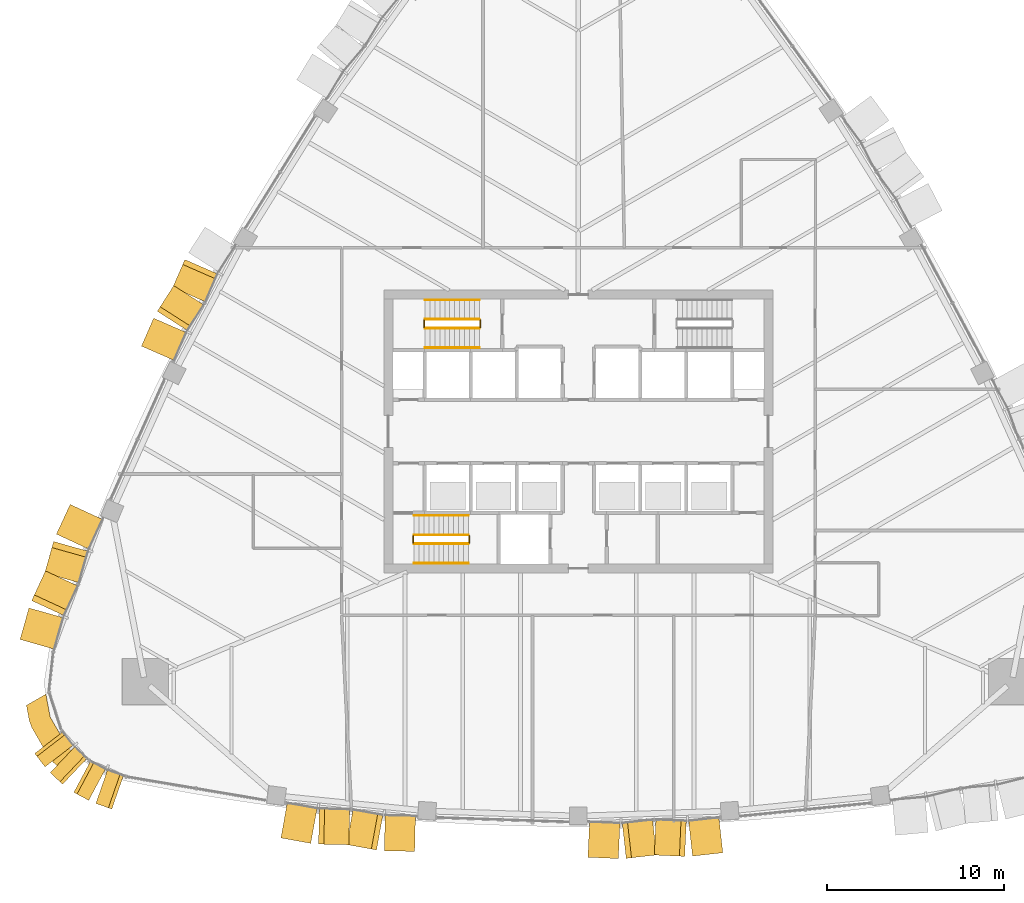
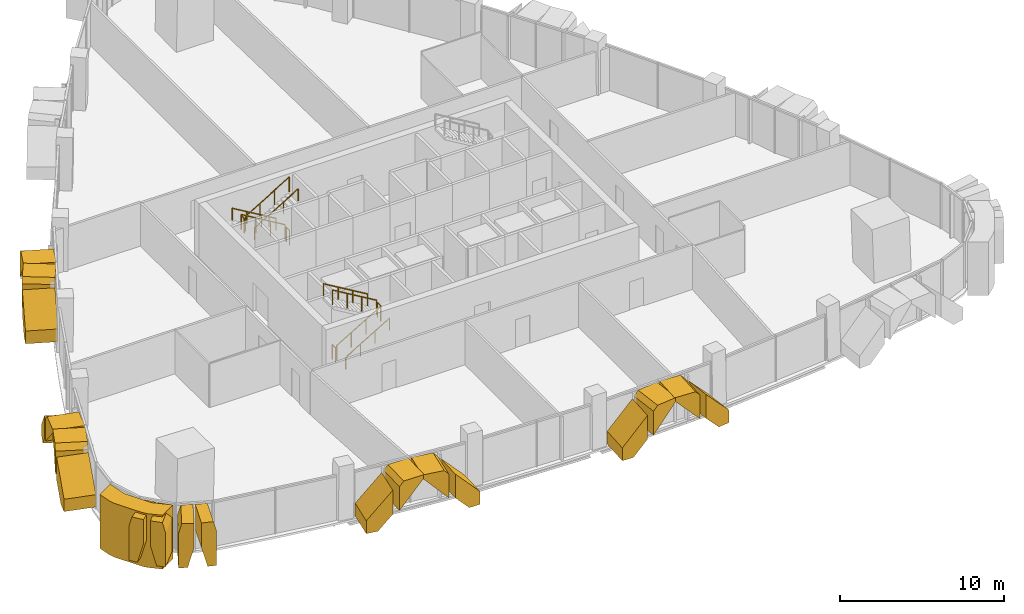
# One storey, part 14 of 17: 20 coverings, 12 railings.
"""IFC4 building model written with IfcOpenShell, lengths in metres."""

from ifc_helpers import new_model, si_unit, direction, frame, origin, origin_2d, place, context, subcontext, project, spatial, polyline, circle, outline, extrude, material, layer, layer_set, type_object, element, save


model = new_model("IFC4")

# Units and contexts
model_context = context("Model", 3, precision=1e-05, world=origin(), true_north=direction((0.0, 1.0)))
body_context = subcontext(model_context, "Body", "Model", "MODEL_VIEW")
ifc_project = project(units=[si_unit("LENGTHUNIT", "METRE"), si_unit("AREAUNIT", "SQUARE_METRE"), si_unit("VOLUMEUNIT", "CUBIC_METRE"), si_unit("PLANEANGLEUNIT", "RADIAN"), si_unit("MASSUNIT", "GRAM", prefix="KILO")], contexts=[model_context])

# Site, building, storey
site_placement = place(None, origin())
site = spatial("IfcSite", under=ifc_project, at=site_placement, CompositionType="ELEMENT")
building_placement = place(site_placement, origin())
building = spatial("IfcBuilding", under=site, at=building_placement, Name="Sierra Prisma Convention Tower", CompositionType="ELEMENT")
storey_placement = place(building_placement, frame((0.0, 0.0, 145.800048828125)))
storey = spatial("IfcBuildingStorey", under=building, at=storey_placement, Name="L31", CompositionType="ELEMENT", Elevation=145.800048828125)

# Coverings
ifc_material_1 = material(Name="Aluminium composite bronze anodised", Category="aluminium")
ifc_layer_1 = layer(ifc_material_1, 1.199951171875)
ifc_layer_set_1 = layer_set([ifc_layer_1], Name="Bronze corner pier")
covering_type_1 = type_object("IfcCoveringType", Name="Bronze corner pier", PredefinedType="CLADDING", material=ifc_layer_set_1)
covering_1_placement = place(storey_placement, frame((0.0, 0.0, -0.60009765625)))
element("IfcCovering", 1, at=covering_1_placement, inside=storey, type_object=covering_type_1, Name="Corner pier SW L31.1", PredefinedType="CLADDING", context=body_context, shape_type="SweptSolid", body=[
    extrude(outline(polyline([(-29.71142578125, -18.724609375), (-29.969482421875, -18.413818359375), (-30.931640625, -16.74755859375), (-31.07177734375, -16.368408203125), (-31.23583984375, -15.49365234375), (-30.134033203125, -14.857666015625), (-29.892333984375, -16.1474609375), (-28.930419921875, -17.813720703125), (-27.93408203125, -18.668212890625), (-29.035888671875, -19.30419921875), (-29.71142578125, -18.724609375)])), origin(), (0.0, 0.0, 1.0), 4.0),
])
ifc_material_2 = material(Name="Aluminium 6063-T6 bronze anodised", Category="aluminium")
ifc_layer_2 = layer(ifc_material_2, 2.0)
ifc_layer_set_2 = layer_set([ifc_layer_2], Name="Bronze crystal chevron frame")
covering_type_2 = type_object("IfcCoveringType", Name="Bronze crystal chevron frame", PredefinedType="CLADDING", material=ifc_layer_set_2)
covering_2_placement = place(storey_placement, frame((-16.834228515625, -22.994873046875, 0.0), z_axis=(-0.17819871487, -0.983994520566, -3.8929777e-05), x_axis=(0.983994521311, -0.178198715005, -5.461e-09)))
element("IfcCovering", 2, at=covering_2_placement, inside=storey, type_object=covering_type_2, Name="CW-2 chevron frame S2.1.1", PredefinedType="CLADDING", context=body_context, shape_type="SweptSolid", body=[
    extrude(outline(polyline([(0.0, 0.0), (0.7554811546290352, 8.470329472543003e-22), (1.7164445959437449, 1.0437011820398558), (1.7164445862691808, 2.8151855556974894), (-5.19327818288761e-09, 0.9509277336544215), (0.0, 0.0)])), origin(), (0.0, 0.0, -1.0), 2.0),
])
covering_3_placement = place(storey_placement, frame((-14.7041015625, -23.345458984375, 2.956298828125), z_axis=(-0.022041406496, -0.999757058654, -8.489006e-06), x_axis=(1.8711e-07, 8.486944e-06, -0.999999999964)))
element("IfcCovering", 3, at=covering_3_placement, inside=storey, type_object=covering_type_2, Name="CW-2 chevron frame S2.1.2", PredefinedType="CLADDING", context=body_context, shape_type="SweptSolid", body=[
    extrude(outline(polyline([(0.0, 0.0), (1.7714843749361706, -4.6890800974099756e-23), (-0.09277343751998629, 1.7167257179186428), (-0.3237304687616645, 1.7167257179186428), (-0.3237304689059669, 0.2981685758387188), (0.0, 0.0)])), origin(), (0.0, 0.0, -1.0), 2.0),
])
covering_4_placement = place(storey_placement, frame((-13.111328125, -23.370849609375, 3.280029296875), z_axis=(-0.178353844349, -0.983966414672, 3.1665757e-05), x_axis=(-5.64771e-06, -3.1158042e-05, -0.999999999499)))
element("IfcCovering", 4, at=covering_4_placement, inside=storey, type_object=covering_type_2, Name="CW-2 chevron frame S2.2.1", PredefinedType="CLADDING", context=body_context, shape_type="SweptSolid", body=[
    extrude(outline(polyline([(0.0, 0.0), (0.23095703113420737, -1.9562821486879105e-22), (2.095214843024154, 1.7164881301372268), (0.32373046891230556, 1.7164881301372268), (-2.0078884207085242e-09, 1.4184840279151614), (0.0, 0.0)])), origin(), (0.0, 0.0, -1.0), 2.0),
])
covering_5_placement = place(storey_placement, frame((-9.264892578125, -23.759521484375, 0.0), z_axis=(-0.022200072517, -0.999753547719, -2.4551193e-05), x_axis=(-5.45038e-07, -2.4545142e-05, 0.999999999699)))
element("IfcCovering", 5, at=covering_5_placement, inside=storey, type_object=covering_type_2, Name="CW-2 chevron frame S2.2.2", PredefinedType="CLADDING", context=body_context, shape_type="SweptSolid", body=[
    extrude(outline(polyline([(0.0, 0.0), (0.9509277340884089, 0.0), (2.815185546655661, 1.7167311166745831), (1.0437011721895515, 1.7167311166745831), (-1.640964052137111e-09, 0.7558029873359733), (0.0, 0.0)])), origin(), (0.0, 0.0, -1.0), 2.0),
])
covering_6_placement = place(storey_placement, frame((0.539794921875, -24.088623046875, 0.0), z_axis=(-0.045034530849, -0.99898543037, 3.0652974e-05), x_axis=(0.998985430839, -0.04503453087, -3.37e-09)))
element("IfcCovering", 6, at=covering_6_placement, inside=storey, type_object=covering_type_2, Name="CW-2 chevron frame S4.1.1", PredefinedType="CLADDING", context=body_context, shape_type="SweptSolid", body=[
    extrude(outline(polyline([(0.0, 0.0), (0.7571195554350986, 2.117582368135751e-22), (1.7246487187039257, 1.0458984438041266), (1.7246487127472983, 2.813232427348829), (-3.196780945112798e-09, 0.9484863276793989), (0.0, 0.0)])), origin(), (0.0, 0.0, -1.0), 2.0),
])
covering_7_placement = place(storey_placement, frame((2.705810546875, -24.1513671875, 2.953857421875), z_axis=(0.11183135415, -0.993727200067, -8.696166e-06), x_axis=(-9.72504e-07, 8.641617e-06, -0.999999999962)))
element("IfcCovering", 7, at=covering_7_placement, inside=storey, type_object=covering_type_2, Name="CW-2 chevron frame S4.1.2", PredefinedType="CLADDING", context=body_context, shape_type="SweptSolid", body=[
    extrude(outline(polyline([(0.0, 0.0), (1.7673339843081741, 3.7424752839196046e-22), (-0.09741210939598288, 1.7246854771770521), (-0.32617187501233313, 1.7246854771770521), (-0.32617187516328433, 0.30144921909224004), (0.0, 0.0)])), origin(), (0.0, 0.0, -1.0), 2.0),
])
covering_8_placement = place(storey_placement, frame((4.29541015625, -23.962646484375, 3.280029296875), z_axis=(-0.044882544075, -0.998992269994, -4.1589781e-05), x_axis=(1.866655e-06, 4.154787e-05, -0.999999999135)))
element("IfcCovering", 8, at=covering_8_placement, inside=storey, type_object=covering_type_2, Name="CW-2 chevron frame S4.2.1", PredefinedType="CLADDING", context=body_context, shape_type="SweptSolid", body=[
    extrude(outline(polyline([(0.0, 0.0), (0.228759765427156, -4.8441764622636683e-23), (2.093505858128604, 1.72463774949425), (0.32617187528209135, 1.72463774949425), (-3.452663048515049e-09, 1.4233130400474532), (0.0, 0.0)])), origin(), (0.0, 0.0, -1.0), 2.0),
])
covering_9_placement = place(storey_placement, frame((8.17529296875, -23.832275390625, 0.0), z_axis=(0.111850787266, -0.993725012923, 8.850515e-06), x_axis=(-9.89937e-07, 8.794978e-06, 0.999999999961)))
element("IfcCovering", 9, at=covering_9_placement, inside=storey, type_object=covering_type_2, Name="CW-2 chevron frame S4.2.2", PredefinedType="CLADDING", context=body_context, shape_type="SweptSolid", body=[
    extrude(outline(polyline([(0.0, 0.0), (0.9484863280878518, 0.0), (2.8132324218467444, 1.724442868146055), (1.0458984375409635, 1.724442868146055), (-2.1273460666727567e-10, 0.7571954866046736), (0.0, 0.0)])), origin(), (0.0, 0.0, -1.0), 2.0),
])
covering_10_placement = place(storey_placement, frame((-22.2685546875, 9.732421875, 2.953857421875), z_axis=(-0.916510633878, 0.40001032231, 5.827557e-06), x_axis=(-5.341018e-06, 2.331083e-06, -0.999999999983)))
element("IfcCovering", 10, at=covering_10_placement, inside=storey, type_object=covering_type_2, Name="CW-2 chevron frame NW4.1.2", PredefinedType="CLADDING", context=body_context, shape_type="SweptSolid", body=[
    extrude(outline(polyline([(0.0, 0.0), (1.7673339843449902, 0.0), (-0.09741210938442285, 1.7248133606758302), (-0.32617187500553846, 1.7248133606758302), (-0.3261718750733266, 0.30153689863086686), (0.0, 0.0)])), origin(), (0.0, 0.0, -1.0), 2.0),
])
covering_11_placement = place(storey_placement, frame((-22.89990234375, 8.26123046875, 3.280029296875), z_axis=(-0.842649764872, 0.538462044545, -1.8597007e-05), x_axis=(1.5670764e-05, -1.0013782e-05, -0.999999999827)))
element("IfcCovering", 11, at=covering_11_placement, inside=storey, type_object=covering_type_2, Name="CW-2 chevron frame NW4.2.1", PredefinedType="CLADDING", context=body_context, shape_type="SweptSolid", body=[
    extrude(outline(polyline([(0.0, 0.0), (0.22875976558544187, -3.8753411698109347e-22), (2.0935058591257882, 1.7247567551154526), (0.32617187505640305, 1.7247567551154526), (-6.903463717968265e-10, 1.423175782198553), (0.0, 0.0)])), origin(), (0.0, 0.0, -1.0), 2.0),
])
covering_12_placement = place(storey_placement, frame((-24.72705078125, 4.8359375, 0.0), z_axis=(-0.91656949499, 0.399875430763, 2.6939579e-05), x_axis=(2.4691996e-05, -1.0772476e-05, 0.999999999637)))
element("IfcCovering", 12, at=covering_12_placement, inside=storey, type_object=covering_type_2, Name="CW-2 chevron frame NW4.2.2", PredefinedType="CLADDING", context=body_context, shape_type="SweptSolid", body=[
    extrude(outline(polyline([(0.0, 0.0), (0.9484863277808224, -1.6067983398842563e-21), (2.8132324216132125, 1.7247157164379143), (1.0458984378795257, 1.7247157164379143), (-1.9709818649839267e-09, 0.757239406623146), (0.0, 0.0)])), origin(), (0.0, 0.0, -1.0), 2.0),
])
covering_13_placement = place(storey_placement, frame((-28.75927734375, -4.12109375, 0.0), z_axis=(-0.90716637028, 0.420772119434, -1.1872686e-05), x_axis=(-0.420772119463, -0.907166370344, -4.71e-10)))
element("IfcCovering", 13, at=covering_13_placement, inside=storey, type_object=covering_type_2, Name="CW-2 chevron frame NW6.1.1", PredefinedType="CLADDING", context=body_context, shape_type="SweptSolid", body=[
    extrude(outline(polyline([(0.0, 0.0), (0.783945012257274, 4.235164736271502e-22), (1.8531967220863308, 1.0810546884492742), (1.8531967212824563, 2.7873535164540137), (-4.3051960685191385e-10, 0.9138183593105939), (0.0, 0.0)])), origin(), (0.0, 0.0, -1.0), 2.0),
])
covering_14_placement = place(storey_placement, frame((-29.693603515625, -6.2177734375, 2.9189453125), z_axis=(-0.961799218893, 0.273755840352, 4.9096385e-05), x_axis=(-4.7220865e-05, 1.3440422e-05, -0.999999998795)))
element("IfcCovering", 14, at=covering_14_placement, inside=storey, type_object=covering_type_2, Name="CW-2 chevron frame NW6.1.2", PredefinedType="CLADDING", context=body_context, shape_type="SweptSolid", body=[
    extrude(outline(polyline([(0.0, 0.0), (1.7065429666932275, 2.8909962408728317e-21), (-0.1672363287938189, 1.853261900033277), (-0.3610839848101884, 1.853261900033277), (-0.3610839893909946, 0.3571176364467429), (0.0, 0.0)])), origin(), (0.0, 0.0, -1.0), 2.0),
])
covering_15_placement = place(storey_placement, frame((-30.157470703125, -7.8837890625, 3.280029296875), z_axis=(-0.907115584471, 0.420881593253, 2.9507264e-05), x_axis=(-2.6766499e-05, 1.2419064e-05, -0.999999999565)))
element("IfcCovering", 15, at=covering_15_placement, inside=storey, type_object=covering_type_2, Name="CW-2 chevron frame NW6.2.1", PredefinedType="CLADDING", context=body_context, shape_type="SweptSolid", body=[
    extrude(outline(polyline([(0.0, 0.0), (0.1938476561656105, -3.28390703183552e-22), (2.067626952539269, 1.8532994649451298), (0.3610839845321941, 1.8532994649451298), (-1.654629513403585e-09, 1.4961204017923588), (0.0, 0.0)])), origin(), (0.0, 0.0, -1.0), 2.0),
])
covering_16_placement = place(storey_placement, frame((-31.59912109375, -11.76318359375, 0.0), z_axis=(-0.961804113149, 0.273738648581, 1.4244317e-05), x_axis=(1.3700243e-05, -3.89922e-06, 0.999999999899)))
element("IfcCovering", 16, at=covering_16_placement, inside=storey, type_object=covering_type_2, Name="CW-2 chevron frame NW6.2.2", PredefinedType="CLADDING", context=body_context, shape_type="SweptSolid", body=[
    extrude(outline(polyline([(0.0, 0.0), (0.9138183592822928, 0.0), (2.787353515561569, 1.8532619000540924), (1.0810546876096732, 1.8532619000540924), (-5.316232498894135e-10, 0.7840891547718458), (0.0, 0.0)])), origin(), (0.0, 0.0, -1.0), 2.0),
])
covering_17_placement = place(storey_placement, frame((-30.76611328125, -18.216552734375, 0.0), z_axis=(-0.792111797839, -0.610376031406, 3.067676e-06), x_axis=(0.610376031409, -0.792111797843, 2.6e-11)))
element("IfcCovering", 17, at=covering_17_placement, inside=storey, type_object=covering_type_2, Name="CW-2 chevron frame SW3.1.1", PredefinedType="CLADDING", context=body_context, shape_type="SweptSolid", body=[
    extrude(outline(polyline([(0.0, 0.0), (0.561571202091653, 0.0), (0.9551592833683565, 1.4577636718486047), (0.955159283416561, 3.28002929684003), (0.20436334823608987, 3.28002929692143), (6.67526029538823e-11, 2.523437499988126), (0.0, 0.0)])), origin(), (0.0, 0.0, -1.0), 2.0),
])
covering_18_placement = place(storey_placement, frame((-29.8857421875, -19.30224609375, 3.280029296875), z_axis=(-0.686903274871, -0.726748849927, -1.0054679e-05), x_axis=(6.906592e-06, 7.307227e-06, -0.999999999949)))
element("IfcCovering", 18, at=covering_18_placement, inside=storey, type_object=covering_type_2, Name="CW-2 chevron frame SW3.1.2", PredefinedType="CLADDING", context=body_context, shape_type="SweptSolid", body=[
    extrude(outline(polyline([(0.0, 0.0), (1.8222656249078877, 0.0), (3.280029298033937, 0.393591693720283), (3.2800292969346714, 0.955042988310286), (0.7565917970622267, 0.955042988310286), (8.229526570204729e-10, 0.7507381338550083), (0.0, 0.0)])), origin(), (0.0, 0.0, -1.0), 2.0),
])
covering_19_placement = place(storey_placement, frame((-28.553955078125, -20.417724609375, 0.0), z_axis=(-0.471798207323, -0.881706555934, 2.809022e-05), x_axis=(0.881706556282, -0.471798207509, 1.895e-09)))
element("IfcCovering", 19, at=covering_19_placement, inside=storey, type_object=covering_type_2, Name="CW-2 chevron frame SW4.1.1", PredefinedType="CLADDING", context=body_context, shape_type="SweptSolid", body=[
    extrude(outline(polyline([(0.0, 0.0), (0.5615239138886441, 8.470329472543003e-22), (0.9552800589721903, 1.4577636699938743), (0.9552800624251693, 3.280029294274935), (0.20424510687321054, 3.280029300643891), (4.781617248489372e-09, 2.5234374990044275), (0.0, 0.0)])), origin(), (0.0, 0.0, -1.0), 2.0),
])
covering_20_placement = place(storey_placement, frame((-27.305419921875, -21.046142578125, 3.280029296875), z_axis=(-0.328135467687, -0.944630676416, 4.391309e-06), x_axis=(-1.440944e-06, -4.148166e-06, -0.99999999999)))
element("IfcCovering", 20, at=covering_20_placement, inside=storey, type_object=covering_type_2, Name="CW-2 chevron frame SW4.1.2", PredefinedType="CLADDING", context=body_context, shape_type="SweptSolid", body=[
    extrude(outline(polyline([(0.0, 0.0), (1.8222656249824303, 0.0), (3.2800292978124874, 0.3936973432791869), (3.2800292969689173, 0.9552443653765023), (0.7565917969932476, 0.9552443653765023), (9.042597382594701e-10, 0.7508713226031788), (0.0, 0.0)])), origin(), (0.0, 0.0, -1.0), 2.0),
])

# Railings
ifc_material_3 = material(Name="Stainless steel", Category="steel")
railing_type_1 = type_object("IfcRailingType", Name="Exit stair handrail", PredefinedType="HANDRAIL", material=ifc_material_3)
railing_1_placement = place(storey_placement, frame((-9.300048828125, -7.449951171875, 0.16650390625)))
element("IfcRailing", 21, at=railing_1_placement, inside=storey, type_object=railing_type_1, Name="L31 S1 stair handrail 1", PredefinedType="HANDRAIL", context=body_context, shape_type="SweptSolid", body=[
    extrude(circle(Radius=0.02392578125, at=origin_2d()), frame((0.0, 0.0, 0.8759765625), z_axis=(0.85927862911, 0.0, 0.511507807912), x_axis=(0.0, 1.0, 0.0)), (0.0, 0.0, 1.0), 3.58447265625),
    extrude(circle(Radius=0.02099609375, at=origin_2d()), origin(), (0.0, 0.0, 1.0), 0.851806640625),
    extrude(circle(Radius=0.02099609375, at=origin_2d()), frame((1.026611328125, 0.0, 0.611083984375)), (0.0, 0.0, 1.0), 0.851806640625),
    extrude(circle(Radius=0.02099609375, at=origin_2d()), frame((2.053466796875, 0.0, 1.222412109375)), (0.0, 0.0, 1.0), 0.851806640625),
    extrude(circle(Radius=0.02099609375, at=origin_2d()), frame((3.080078125, 0.0, 1.83349609375)), (0.0, 0.0, 1.0), 0.851806640625),
])
railing_2_placement = place(storey_placement, frame((-6.219970703125, -4.75, 2.16650390625)))
element("IfcRailing", 22, at=railing_2_placement, inside=storey, type_object=railing_type_1, Name="L31 S1 stair handrail 2", PredefinedType="HANDRAIL", context=body_context, shape_type="SweptSolid", body=[
    extrude(circle(Radius=0.02392578125, at=origin_2d()), frame((0.0, 0.0, 0.8759765625), z_axis=(-0.85927862911, 0.0, 0.511507807912), x_axis=(0.0, -1.0, 0.0)), (0.0, 0.0, 1.0), 3.58447265625),
    extrude(circle(Radius=0.02099609375, at=origin_2d()), origin(), (0.0, 0.0, 1.0), 0.851806640625),
    extrude(circle(Radius=0.02099609375, at=origin_2d()), frame((-1.026611328125, 0.0, 0.611083984375)), (0.0, 0.0, 1.0), 0.851806640625),
    extrude(circle(Radius=0.02099609375, at=origin_2d()), frame((-2.053466796875, 0.0, 1.222412109375)), (0.0, 0.0, 1.0), 0.851806640625),
    extrude(circle(Radius=0.02099609375, at=origin_2d()), frame((-3.080078125, 0.0, 1.83349609375)), (0.0, 0.0, 1.0), 0.851806640625),
])
railing_3_placement = place(storey_placement, frame((-5.60009765625, 7.449951171875, 0.16650390625)))
element("IfcRailing", 23, at=railing_3_placement, inside=storey, type_object=railing_type_1, Name="L31 S3 stair handrail 1", PredefinedType="HANDRAIL", context=body_context, shape_type="SweptSolid", body=[
    extrude(circle(Radius=0.02392578125, at=origin_2d()), frame((0.0, 0.0, 0.8759765625), z_axis=(-0.859260807169, 0.0, 0.511537745687), x_axis=(0.0, -1.0, 0.0)), (0.0, 0.0, 1.0), 3.584228515625),
    extrude(circle(Radius=0.02099609375, at=origin_2d()), origin(), (0.0, 0.0, 1.0), 0.851806640625),
    extrude(circle(Radius=0.02099609375, at=origin_2d()), frame((-1.026611328125, 0.0, 0.611083984375)), (0.0, 0.0, 1.0), 0.851806640625),
    extrude(circle(Radius=0.02099609375, at=origin_2d()), frame((-2.05322265625, 0.0, 1.222412109375)), (0.0, 0.0, 1.0), 0.851806640625),
    extrude(circle(Radius=0.02099609375, at=origin_2d()), frame((-3.079833984375, 0.0, 1.83349609375)), (0.0, 0.0, 1.0), 0.851806640625),
])
railing_4_placement = place(storey_placement, frame((-8.679931640625, 4.75, 2.16650390625)))
element("IfcRailing", 24, at=railing_4_placement, inside=storey, type_object=railing_type_1, Name="L31 S3 stair handrail 2", PredefinedType="HANDRAIL", context=body_context, shape_type="SweptSolid", body=[
    extrude(circle(Radius=0.02392578125, at=origin_2d()), frame((0.0, 0.0, 0.8759765625), z_axis=(0.859260807169, 0.0, 0.511537745687), x_axis=(0.0, 1.0, 0.0)), (0.0, 0.0, 1.0), 3.584228515625),
    extrude(circle(Radius=0.02099609375, at=origin_2d()), origin(), (0.0, 0.0, 1.0), 0.851806640625),
    extrude(circle(Radius=0.02099609375, at=origin_2d()), frame((1.026611328125, 0.0, 0.611083984375)), (0.0, 0.0, 1.0), 0.851806640625),
    extrude(circle(Radius=0.02099609375, at=origin_2d()), frame((2.05322265625, 0.0, 1.222412109375)), (0.0, 0.0, 1.0), 0.851806640625),
    extrude(circle(Radius=0.02099609375, at=origin_2d()), frame((3.079833984375, 0.0, 1.83349609375)), (0.0, 0.0, 1.0), 0.851806640625),
])
ifc_material_4 = material(Name="Stainless steel", Category="steel")
railing_type_2 = type_object("IfcRailingType", Name="Stair guard 1100", PredefinedType="GUARDRAIL", material=ifc_material_4)
railing_5_placement = place(storey_placement, frame((-9.300048828125, -6.35009765625, 0.16650390625)))
element("IfcRailing", 25, at=railing_5_placement, inside=storey, type_object=railing_type_2, Name="L31 S1 stair guard 1", PredefinedType="GUARDRAIL", context=body_context, shape_type="SweptSolid", body=[
    extrude(circle(Radius=0.02392578125, at=origin_2d()), frame((0.0, 0.0, 1.076171875), z_axis=(0.85927862911, 0.0, 0.511507807912), x_axis=(0.0, 1.0, 0.0)), (0.0, 0.0, 1.0), 3.58447265625),
    extrude(circle(Radius=0.02099609375, at=origin_2d()), origin(), (0.0, 0.0, 1.0), 1.052001953125),
    extrude(circle(Radius=0.02099609375, at=origin_2d()), frame((1.026611328125, 0.0, 0.611083984375)), (0.0, 0.0, 1.0), 1.052001953125),
    extrude(circle(Radius=0.02099609375, at=origin_2d()), frame((2.053466796875, 0.0, 1.222412109375)), (0.0, 0.0, 1.0), 1.052001953125),
    extrude(circle(Radius=0.02099609375, at=origin_2d()), frame((3.080078125, 0.0, 1.83349609375)), (0.0, 0.0, 1.0), 1.052001953125),
])
railing_6_placement = place(storey_placement, frame((-6.169921875, -6.300048828125, 2.0)))
element("IfcRailing", 26, at=railing_6_placement, inside=storey, type_object=railing_type_2, Name="L31 S1 stair guard 2", PredefinedType="GUARDRAIL", context=body_context, shape_type="SweptSolid", body=[
    extrude(circle(Radius=0.02392578125, at=origin_2d()), frame((0.0, 0.0, 1.076171875), z_axis=(0.0, 1.0, 0.0), x_axis=(-1.0, 0.0, 0.0)), (0.0, 0.0, 1.0), 0.400146484375),
    extrude(circle(Radius=0.02099609375, at=origin_2d()), origin(), (0.0, 0.0, 1.0), 1.052001953125),
    extrude(circle(Radius=0.02099609375, at=origin_2d()), frame((0.0, 0.400146484375, 0.0)), (0.0, 0.0, 1.0), 1.052001953125),
])
railing_7_placement = place(storey_placement, frame((-6.219970703125, -5.85009765625, 2.16650390625)))
element("IfcRailing", 27, at=railing_7_placement, inside=storey, type_object=railing_type_2, Name="L31 S1 stair guard 3", PredefinedType="GUARDRAIL", context=body_context, shape_type="SweptSolid", body=[
    extrude(circle(Radius=0.02392578125, at=origin_2d()), frame((0.0, 0.0, 1.076171875), z_axis=(-0.85927862911, 0.0, 0.511507807912), x_axis=(0.0, -1.0, 0.0)), (0.0, 0.0, 1.0), 3.58447265625),
    extrude(circle(Radius=0.02099609375, at=origin_2d()), origin(), (0.0, 0.0, 1.0), 1.052001953125),
    extrude(circle(Radius=0.02099609375, at=origin_2d()), frame((-1.026611328125, 0.0, 0.611083984375)), (0.0, 0.0, 1.0), 1.052001953125),
    extrude(circle(Radius=0.02099609375, at=origin_2d()), frame((-2.053466796875, 0.0, 1.222412109375)), (0.0, 0.0, 1.0), 1.052001953125),
    extrude(circle(Radius=0.02099609375, at=origin_2d()), frame((-3.080078125, 0.0, 1.83349609375)), (0.0, 0.0, 1.0), 1.052001953125),
])
railing_8_placement = place(storey_placement, frame((-9.35009765625, -6.300048828125, 0.0)))
element("IfcRailing", 28, at=railing_8_placement, inside=storey, type_object=railing_type_2, Name="L31 S1 stair guard 4", PredefinedType="GUARDRAIL", context=body_context, shape_type="SweptSolid", body=[
    extrude(circle(Radius=0.02392578125, at=origin_2d()), frame((0.0, 0.0, 1.076171875), z_axis=(0.0, 1.0, 0.0), x_axis=(-1.0, 0.0, 0.0)), (0.0, 0.0, 1.0), 0.400146484375),
    extrude(circle(Radius=0.02099609375, at=origin_2d()), origin(), (0.0, 0.0, 1.0), 1.052001953125),
    extrude(circle(Radius=0.02099609375, at=origin_2d()), frame((0.0, 0.400146484375, 0.0)), (0.0, 0.0, 1.0), 1.052001953125),
])
railing_9_placement = place(storey_placement, frame((-5.60009765625, 6.35009765625, 0.16650390625)))
element("IfcRailing", 29, at=railing_9_placement, inside=storey, type_object=railing_type_2, Name="L31 S3 stair guard 1", PredefinedType="GUARDRAIL", context=body_context, shape_type="SweptSolid", body=[
    extrude(circle(Radius=0.02392578125, at=origin_2d()), frame((0.0, 0.0, 1.076171875), z_axis=(-0.859260807169, 0.0, 0.511537745687), x_axis=(0.0, -1.0, 0.0)), (0.0, 0.0, 1.0), 3.584228515625),
    extrude(circle(Radius=0.02099609375, at=origin_2d()), origin(), (0.0, 0.0, 1.0), 1.052001953125),
    extrude(circle(Radius=0.02099609375, at=origin_2d()), frame((-1.026611328125, 0.0, 0.611083984375)), (0.0, 0.0, 1.0), 1.052001953125),
    extrude(circle(Radius=0.02099609375, at=origin_2d()), frame((-2.05322265625, 0.0, 1.222412109375)), (0.0, 0.0, 1.0), 1.052001953125),
    extrude(circle(Radius=0.02099609375, at=origin_2d()), frame((-3.079833984375, 0.0, 1.83349609375)), (0.0, 0.0, 1.0), 1.052001953125),
])
railing_10_placement = place(storey_placement, frame((-8.72998046875, 6.300048828125, 2.0)))
element("IfcRailing", 30, at=railing_10_placement, inside=storey, type_object=railing_type_2, Name="L31 S3 stair guard 2", PredefinedType="GUARDRAIL", context=body_context, shape_type="SweptSolid", body=[
    extrude(circle(Radius=0.02392578125, at=origin_2d()), frame((0.0, 0.0, 1.076171875), z_axis=(0.0, -1.0, 0.0), x_axis=(1.0, 0.0, 0.0)), (0.0, 0.0, 1.0), 0.400146484375),
    extrude(circle(Radius=0.02099609375, at=origin_2d()), origin(), (0.0, 0.0, 1.0), 1.052001953125),
    extrude(circle(Radius=0.02099609375, at=origin_2d()), frame((0.0, -0.400146484375, 0.0)), (0.0, 0.0, 1.0), 1.052001953125),
])
railing_11_placement = place(storey_placement, frame((-8.679931640625, 5.85009765625, 2.16650390625)))
element("IfcRailing", 31, at=railing_11_placement, inside=storey, type_object=railing_type_2, Name="L31 S3 stair guard 3", PredefinedType="GUARDRAIL", context=body_context, shape_type="SweptSolid", body=[
    extrude(circle(Radius=0.02392578125, at=origin_2d()), frame((0.0, 0.0, 1.076171875), z_axis=(0.859260807169, 0.0, 0.511537745687), x_axis=(0.0, 1.0, 0.0)), (0.0, 0.0, 1.0), 3.584228515625),
    extrude(circle(Radius=0.02099609375, at=origin_2d()), origin(), (0.0, 0.0, 1.0), 1.052001953125),
    extrude(circle(Radius=0.02099609375, at=origin_2d()), frame((1.026611328125, 0.0, 0.611083984375)), (0.0, 0.0, 1.0), 1.052001953125),
    extrude(circle(Radius=0.02099609375, at=origin_2d()), frame((2.05322265625, 0.0, 1.222412109375)), (0.0, 0.0, 1.0), 1.052001953125),
    extrude(circle(Radius=0.02099609375, at=origin_2d()), frame((3.079833984375, 0.0, 1.83349609375)), (0.0, 0.0, 1.0), 1.052001953125),
])
railing_12_placement = place(storey_placement, frame((-5.550048828125, 6.300048828125, 0.0)))
element("IfcRailing", 32, at=railing_12_placement, inside=storey, type_object=railing_type_2, Name="L31 S3 stair guard 4", PredefinedType="GUARDRAIL", context=body_context, shape_type="SweptSolid", body=[
    extrude(circle(Radius=0.02392578125, at=origin_2d()), frame((0.0, 0.0, 1.076171875), z_axis=(0.0, -1.0, 0.0), x_axis=(1.0, 0.0, 0.0)), (0.0, 0.0, 1.0), 0.400146484375),
    extrude(circle(Radius=0.02099609375, at=origin_2d()), origin(), (0.0, 0.0, 1.0), 1.052001953125),
    extrude(circle(Radius=0.02099609375, at=origin_2d()), frame((0.0, -0.400146484375, 0.0)), (0.0, 0.0, 1.0), 1.052001953125),
])

save(model, "model.ifc")
